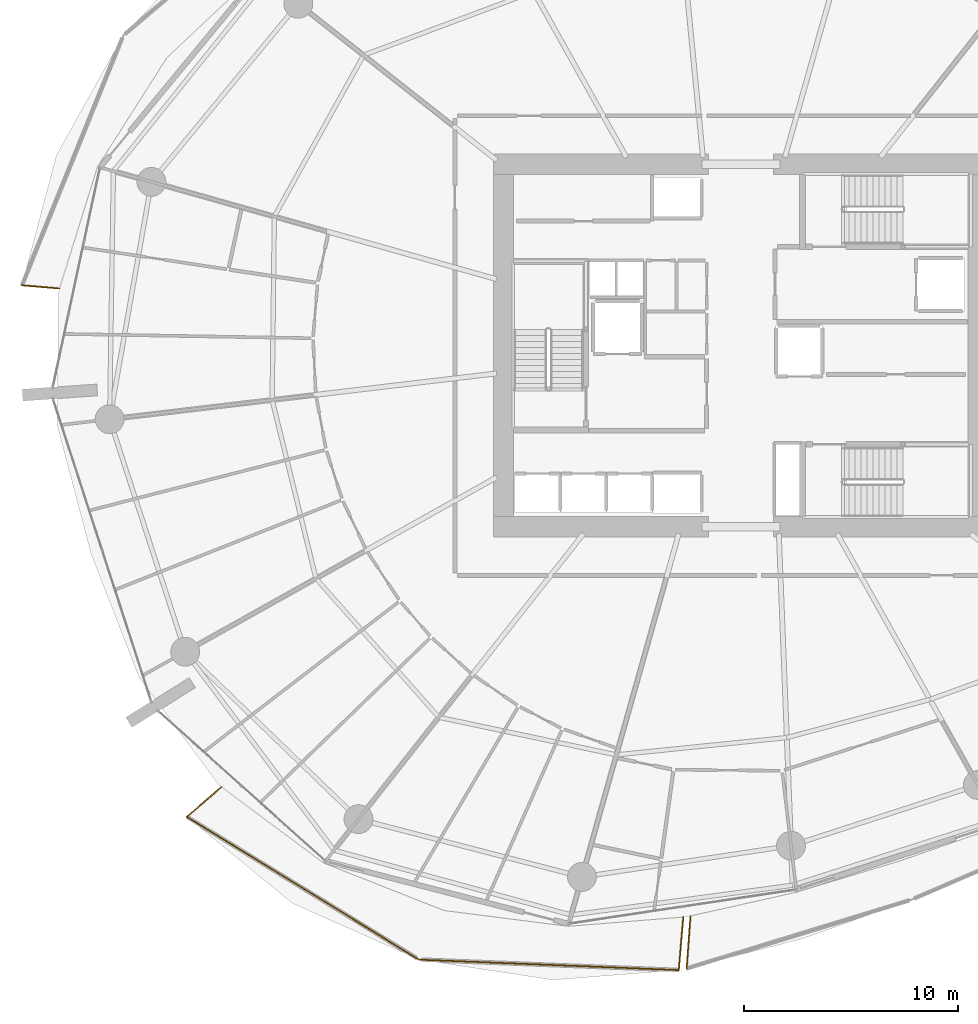
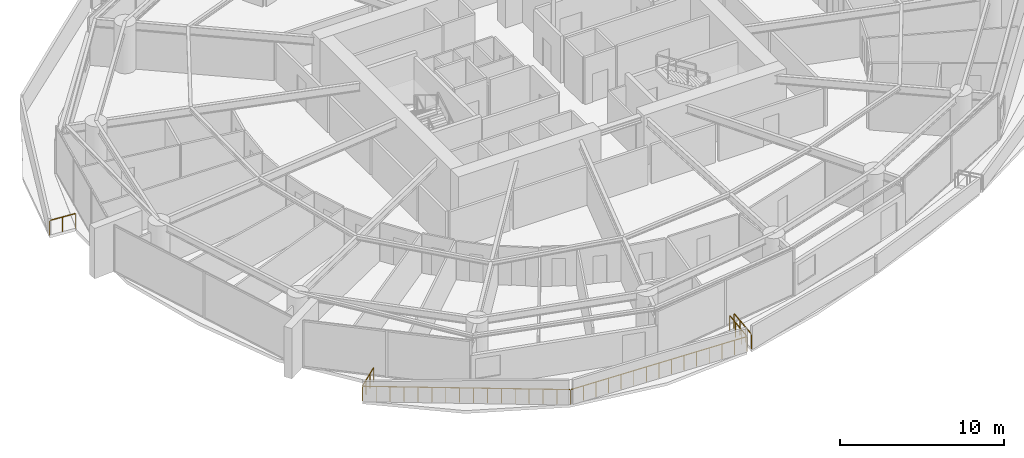
# One storey, part 25 of 31: 6 railings.
"""IFC4 building model written with IfcOpenShell, lengths in metres."""

from ifc_helpers import new_model, si_unit, direction, frame, origin, origin_2d, place, context, subcontext, project, spatial, rectangle, extrude, material, type_object, element, save


model = new_model("IFC4")

# Units and contexts
model_context = context("Model", 3, precision=1e-05, world=origin(), true_north=direction((0.0, 1.0)))
body_context = subcontext(model_context, "Body", "Model", "MODEL_VIEW")
ifc_project = project(units=[si_unit("LENGTHUNIT", "METRE"), si_unit("AREAUNIT", "SQUARE_METRE"), si_unit("VOLUMEUNIT", "CUBIC_METRE"), si_unit("PLANEANGLEUNIT", "RADIAN"), si_unit("MASSUNIT", "GRAM", prefix="KILO")], contexts=[model_context])

# Site, building, storey
site_placement = place(None, origin())
site = spatial("IfcSite", under=ifc_project, at=site_placement, CompositionType="ELEMENT")
building_placement = place(site_placement, origin())
building = spatial("IfcBuilding", under=site, at=building_placement, Name="Kazma Halo Residences", CompositionType="ELEMENT")
storey_placement = place(building_placement, frame((0.0, 0.0, 52.64990234375)))
storey = spatial("IfcBuildingStorey", under=building, at=storey_placement, Name="L12", CompositionType="ELEMENT", Elevation=52.64990234375)

# Railings
ifc_material = material(Name="Aluminium AW-6063 T6 Brushed Cap Rail", Category="aluminium")
railing_type = type_object("IfcRailingType", Name="RLG-BAL-CAP-1120", PredefinedType="BALUSTRADE", material=ifc_material)
railing_1_placement = place(storey_placement, frame((14.794677734375, 44.8173828125, 0.0)))
element("IfcRailing", 1, at=railing_1_placement, inside=storey, type_object=railing_type, Name="L12 NW wave balcony guard 4", PredefinedType="BALUSTRADE", context=body_context, shape_type="SweptSolid", body=[
    extrude(rectangle(XDim=0.050048828125, YDim=0.050048828125, at=origin_2d()), frame((0.04248046875, -0.003662109375, 1.09521484375), z_axis=(0.996429095745, -0.084433744164, 0.0), x_axis=(0.084433744164, 0.996429095745, 0.0)), (0.0, 0.0, 1.0), 1.67578125),
    extrude(rectangle(XDim=0.0400390625, YDim=0.0400390625, at=origin_2d()), origin(), (0.0, 0.0, 1.0), 1.05810546875),
    extrude(rectangle(XDim=0.0400390625, YDim=0.0400390625, at=origin_2d()), frame((0.87744140625, -0.07421875, 0.0)), (0.0, 0.0, 1.0), 1.05810546875),
    extrude(rectangle(XDim=0.0400390625, YDim=0.0400390625, at=origin_2d()), frame((1.754638671875, -0.148681640625, 0.0)), (0.0, 0.0, 1.0), 1.05810546875),
])
railing_2_placement = place(storey_placement, frame((24.124267578125, 21.354736328125, 0.0)))
element("IfcRailing", 2, at=railing_2_placement, inside=storey, type_object=railing_type, Name="L12 SW wave balcony guard 1", PredefinedType="BALUSTRADE", context=body_context, shape_type="SweptSolid", body=[
    extrude(rectangle(XDim=0.050048828125, YDim=0.050048828125, at=origin_2d()), frame((-0.0322265625, -0.02783203125, 1.09521484375), z_axis=(-0.756402999424, -0.654105880162, 0.0), x_axis=(0.654105880162, -0.756402999424, 0.0)), (0.0, 0.0, 1.0), 2.046142578125),
    extrude(rectangle(XDim=0.0400390625, YDim=0.0400390625, at=origin_2d()), origin(), (0.0, 0.0, 1.0), 1.05810546875),
    extrude(rectangle(XDim=0.0400390625, YDim=0.0400390625, at=origin_2d()), frame((-0.537353515625, -0.464599609375, 0.0)), (0.0, 0.0, 1.0), 1.05810546875),
    extrude(rectangle(XDim=0.0400390625, YDim=0.0400390625, at=origin_2d()), frame((-1.07470703125, -0.929443359375, 0.0)), (0.0, 0.0, 1.0), 1.05810546875),
    extrude(rectangle(XDim=0.0400390625, YDim=0.0400390625, at=origin_2d()), frame((-1.612060546875, -1.39404296875, 0.0)), (0.0, 0.0, 1.0), 1.05810546875),
])
railing_3_placement = place(storey_placement, frame((22.51220703125, 19.960693359375, 0.0)))
element("IfcRailing", 3, at=railing_3_placement, inside=storey, type_object=railing_type, Name="L12 SW wave balcony guard 2", PredefinedType="BALUSTRADE", context=body_context, shape_type="SweptSolid", body=[
    extrude(rectangle(XDim=0.050048828125, YDim=0.050048828125, at=origin_2d()), frame((0.0361328125, -0.022216796875, 1.09521484375), z_axis=(0.851730655586, -0.523979856803, 0.0), x_axis=(0.523979856803, 0.851730655586, 0.0)), (0.0, 0.0, 1.0), 12.66015625),
    extrude(rectangle(XDim=0.0400390625, YDim=0.0400390625, at=origin_2d()), origin(), (0.0, 0.0, 1.0), 1.05810546875),
    extrude(rectangle(XDim=0.0400390625, YDim=0.0400390625, at=origin_2d()), frame((0.7236328125, -0.4453125, 0.0)), (0.0, 0.0, 1.0), 1.05810546875),
    extrude(rectangle(XDim=0.0400390625, YDim=0.0400390625, at=origin_2d()), frame((1.447509765625, -0.890380859375, 0.0)), (0.0, 0.0, 1.0), 1.05810546875),
    extrude(rectangle(XDim=0.0400390625, YDim=0.0400390625, at=origin_2d()), frame((2.171142578125, -1.335693359375, 0.0)), (0.0, 0.0, 1.0), 1.05810546875),
    extrude(rectangle(XDim=0.0400390625, YDim=0.0400390625, at=origin_2d()), frame((2.894775390625, -1.78076171875, 0.0)), (0.0, 0.0, 1.0), 1.05810546875),
    extrude(rectangle(XDim=0.0400390625, YDim=0.0400390625, at=origin_2d()), frame((3.618408203125, -2.22607421875, 0.0)), (0.0, 0.0, 1.0), 1.05810546875),
    extrude(rectangle(XDim=0.0400390625, YDim=0.0400390625, at=origin_2d()), frame((4.34228515625, -2.67138671875, 0.0)), (0.0, 0.0, 1.0), 1.05810546875),
    extrude(rectangle(XDim=0.0400390625, YDim=0.0400390625, at=origin_2d()), frame((5.06591796875, -3.116455078125, 0.0)), (0.0, 0.0, 1.0), 1.05810546875),
    extrude(rectangle(XDim=0.0400390625, YDim=0.0400390625, at=origin_2d()), frame((5.78955078125, -3.561767578125, 0.0)), (0.0, 0.0, 1.0), 1.05810546875),
    extrude(rectangle(XDim=0.0400390625, YDim=0.0400390625, at=origin_2d()), frame((6.51318359375, -4.0068359375, 0.0)), (0.0, 0.0, 1.0), 1.05810546875),
    extrude(rectangle(XDim=0.0400390625, YDim=0.0400390625, at=origin_2d()), frame((7.237060546875, -4.4521484375, 0.0)), (0.0, 0.0, 1.0), 1.05810546875),
    extrude(rectangle(XDim=0.0400390625, YDim=0.0400390625, at=origin_2d()), frame((7.960693359375, -4.8974609375, 0.0)), (0.0, 0.0, 1.0), 1.05810546875),
    extrude(rectangle(XDim=0.0400390625, YDim=0.0400390625, at=origin_2d()), frame((8.684326171875, -5.342529296875, 0.0)), (0.0, 0.0, 1.0), 1.05810546875),
    extrude(rectangle(XDim=0.0400390625, YDim=0.0400390625, at=origin_2d()), frame((9.407958984375, -5.787841796875, 0.0)), (0.0, 0.0, 1.0), 1.05810546875),
    extrude(rectangle(XDim=0.0400390625, YDim=0.0400390625, at=origin_2d()), frame((10.1318359375, -6.23291015625, 0.0)), (0.0, 0.0, 1.0), 1.05810546875),
    extrude(rectangle(XDim=0.0400390625, YDim=0.0400390625, at=origin_2d()), frame((10.85546875, -6.67822265625, 0.0)), (0.0, 0.0, 1.0), 1.05810546875),
])
railing_4_placement = place(storey_placement, frame((33.36767578125, 13.282470703125, 0.0)))
element("IfcRailing", 4, at=railing_4_placement, inside=storey, type_object=railing_type, Name="L12 SW wave balcony guard 3", PredefinedType="BALUSTRADE", context=body_context, shape_type="SweptSolid", body=[
    extrude(rectangle(XDim=0.050048828125, YDim=0.050048828125, at=origin_2d()), frame((0.04248046875, -0.001708984375, 1.09521484375), z_axis=(0.999194018409, -0.040141170593, 0.0), x_axis=(0.040141170593, 0.999194018409, 0.0)), (0.0, 0.0, 1.0), 12.0791015625),
    extrude(rectangle(XDim=0.0400390625, YDim=0.0400390625, at=origin_2d()), origin(), (0.0, 0.0, 1.0), 1.05810546875),
    extrude(rectangle(XDim=0.0400390625, YDim=0.0400390625, at=origin_2d()), frame((0.8681640625, -0.034912109375, 0.0)), (0.0, 0.0, 1.0), 1.05810546875),
    extrude(rectangle(XDim=0.0400390625, YDim=0.0400390625, at=origin_2d()), frame((1.736328125, -0.06982421875, 0.0)), (0.0, 0.0, 1.0), 1.05810546875),
    extrude(rectangle(XDim=0.0400390625, YDim=0.0400390625, at=origin_2d()), frame((2.6044921875, -0.104736328125, 0.0)), (0.0, 0.0, 1.0), 1.05810546875),
    extrude(rectangle(XDim=0.0400390625, YDim=0.0400390625, at=origin_2d()), frame((3.47265625, -0.139404296875, 0.0)), (0.0, 0.0, 1.0), 1.05810546875),
    extrude(rectangle(XDim=0.0400390625, YDim=0.0400390625, at=origin_2d()), frame((4.3408203125, -0.17431640625, 0.0)), (0.0, 0.0, 1.0), 1.05810546875),
    extrude(rectangle(XDim=0.0400390625, YDim=0.0400390625, at=origin_2d()), frame((5.208984375, -0.209228515625, 0.0)), (0.0, 0.0, 1.0), 1.05810546875),
    extrude(rectangle(XDim=0.0400390625, YDim=0.0400390625, at=origin_2d()), frame((6.0771484375, -0.244140625, 0.0)), (0.0, 0.0, 1.0), 1.05810546875),
    extrude(rectangle(XDim=0.0400390625, YDim=0.0400390625, at=origin_2d()), frame((6.9453125, -0.279052734375, 0.0)), (0.0, 0.0, 1.0), 1.05810546875),
    extrude(rectangle(XDim=0.0400390625, YDim=0.0400390625, at=origin_2d()), frame((7.8134765625, -0.31396484375, 0.0)), (0.0, 0.0, 1.0), 1.05810546875),
    extrude(rectangle(XDim=0.0400390625, YDim=0.0400390625, at=origin_2d()), frame((8.681640625, -0.348876953125, 0.0)), (0.0, 0.0, 1.0), 1.05810546875),
    extrude(rectangle(XDim=0.0400390625, YDim=0.0400390625, at=origin_2d()), frame((9.5498046875, -0.383544921875, 0.0)), (0.0, 0.0, 1.0), 1.05810546875),
    extrude(rectangle(XDim=0.0400390625, YDim=0.0400390625, at=origin_2d()), frame((10.41796875, -0.41845703125, 0.0)), (0.0, 0.0, 1.0), 1.05810546875),
    extrude(rectangle(XDim=0.0400390625, YDim=0.0400390625, at=origin_2d()), frame((11.2861328125, -0.453369140625, 0.0)), (0.0, 0.0, 1.0), 1.05810546875),
    extrude(rectangle(XDim=0.0400390625, YDim=0.0400390625, at=origin_2d()), frame((12.154296875, -0.48828125, 0.0)), (0.0, 0.0, 1.0), 1.05810546875),
])
railing_5_placement = place(storey_placement, frame((45.52197265625, 12.794189453125, 0.0)))
element("IfcRailing", 5, at=railing_5_placement, inside=storey, type_object=railing_type, Name="L12 SW wave balcony guard 4", PredefinedType="BALUSTRADE", context=body_context, shape_type="SweptSolid", body=[
    extrude(rectangle(XDim=0.050048828125, YDim=0.050048828125, at=origin_2d()), frame((0.003662109375, 0.04248046875, 1.09521484375), z_axis=(0.084492676615, 0.99642410027, 0.0), x_axis=(-0.99642410027, 0.084492676615, 0.0)), (0.0, 0.0, 1.0), 2.39990234375),
    extrude(rectangle(XDim=0.0400390625, YDim=0.0400390625, at=origin_2d()), origin(), (0.0, 0.0, 1.0), 1.05810546875),
    extrude(rectangle(XDim=0.0400390625, YDim=0.0400390625, at=origin_2d()), frame((0.070068359375, 0.825439453125, 0.0)), (0.0, 0.0, 1.0), 1.05810546875),
    extrude(rectangle(XDim=0.0400390625, YDim=0.0400390625, at=origin_2d()), frame((0.139892578125, 1.650634765625, 0.0)), (0.0, 0.0, 1.0), 1.05810546875),
    extrude(rectangle(XDim=0.0400390625, YDim=0.0400390625, at=origin_2d()), frame((0.2099609375, 2.47607421875, 0.0)), (0.0, 0.0, 1.0), 1.05810546875),
])
railing_6_placement = place(storey_placement, frame((46.064208984375, 15.320068359375, 0.0)))
element("IfcRailing", 6, at=railing_6_placement, inside=storey, type_object=railing_type, Name="L12 SSE wave balcony guard 1", PredefinedType="BALUSTRADE", context=body_context, shape_type="SweptSolid", body=[
    extrude(rectangle(XDim=0.050048828125, YDim=0.050048828125, at=origin_2d()), frame((-0.003173828125, -0.04248046875, 1.09521484375), z_axis=(-0.072358458042, -0.997378691145, 0.0), x_axis=(0.997378691145, -0.072358458042, 0.0)), (0.0, 0.0, 1.0), 2.38134765625),
    extrude(rectangle(XDim=0.0400390625, YDim=0.0400390625, at=origin_2d()), origin(), (0.0, 0.0, 1.0), 1.05810546875),
    extrude(rectangle(XDim=0.0400390625, YDim=0.0400390625, at=origin_2d()), frame((-0.0595703125, -0.820068359375, 0.0)), (0.0, 0.0, 1.0), 1.05810546875),
    extrude(rectangle(XDim=0.0400390625, YDim=0.0400390625, at=origin_2d()), frame((-0.118896484375, -1.639892578125, 0.0)), (0.0, 0.0, 1.0), 1.05810546875),
    extrude(rectangle(XDim=0.0400390625, YDim=0.0400390625, at=origin_2d()), frame((-0.178466796875, -2.4599609375, 0.0)), (0.0, 0.0, 1.0), 1.05810546875),
])

save(model, "model.ifc")
